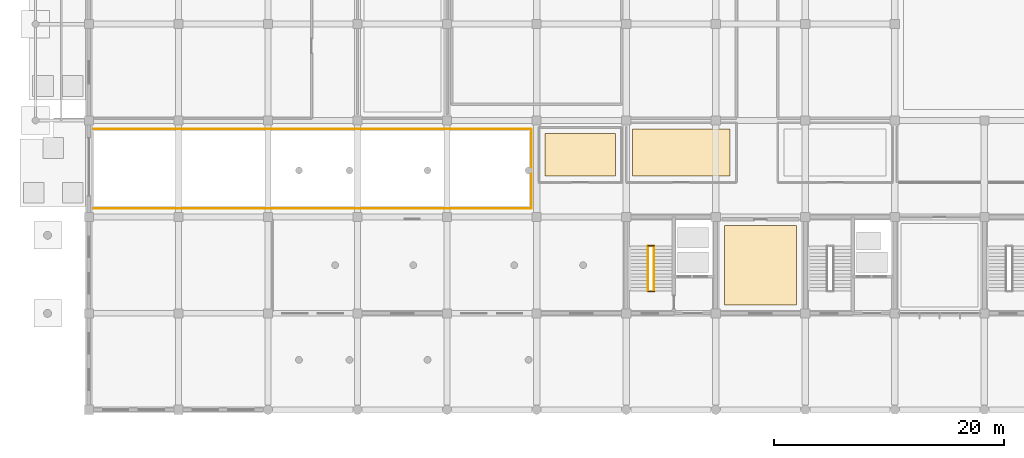
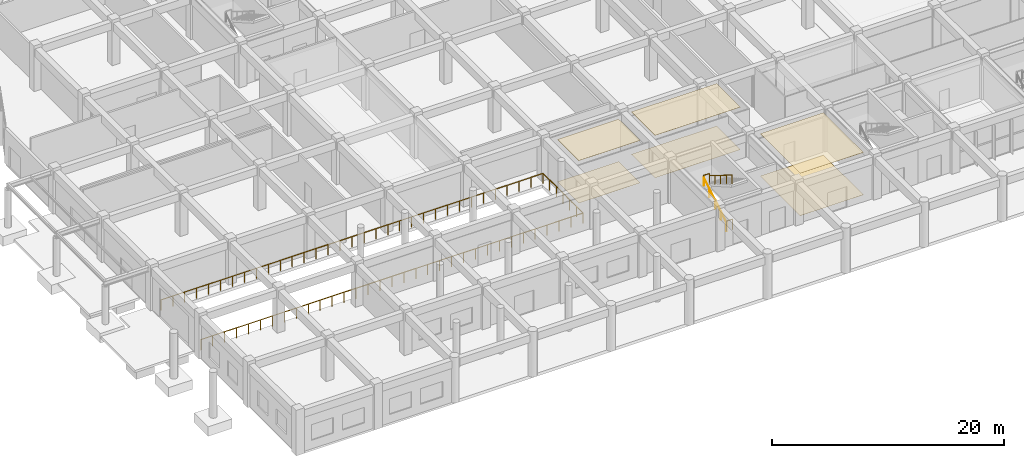
# One storey, part 133 of 139: 7 railings, 6 coverings.
"""IFC4 building model written with IfcOpenShell, lengths in metres."""

import ifcopenshell
import ifcopenshell.guid

model = None  # the IFC model being written
_history = None  # IfcOwnerHistory: only IFC2X3 demands one
_inside = {}  # id of a spatial element -> (the spatial element, [elements in it])
_under = {}  # id of a project, library or spatial element -> (it, [spatial elements below it])
_declared = {}  # id of a project -> (the project, [libraries it declares])
_typed = {}  # id of a type object -> (the type object, [elements of that type])
_made_of = {}  # id of a material, layer set ... -> (it, [elements and type objects made of it])


def new_model(schema):
    """Start an empty IFC model of exactly this schema.

    Asked for "IFC4X3", IfcOpenShell would pick the latest addendum, in which some entities
    have other attributes; the version numbers below select the first issue.
    IFC2X3 requires an IfcOwnerHistory on every rooted entity: one is made here for all.
    """
    global model, _history
    if schema == "IFC4X3":
        model = ifcopenshell.file(schema_version=(4, 3, 0, 0))
    else:
        model = ifcopenshell.file(schema=schema)
    _inside.clear()
    _under.clear()
    _declared.clear()
    _typed.clear()
    _made_of.clear()
    _history = None
    if model.schema == "IFC2X3":
        org = make("IfcOrganization", Name="unknown")
        user = make(
            "IfcPersonAndOrganization",
            ThePerson=make("IfcPerson", FamilyName="unknown"),
            TheOrganization=org,
        )
        app = make(
            "IfcApplication",
            ApplicationDeveloper=org,
            Version="unknown",
            ApplicationFullName="unknown",
            ApplicationIdentifier="unknown",
        )
        _history = make(
            "IfcOwnerHistory",
            OwningUser=user,
            OwningApplication=app,
            ChangeAction="ADDED",
            CreationDate=0,
        )
    return model


def make(cls, **values):
    """One entity of the class cls with the attributes given. An attribute that is None is left unset."""
    return model.create_entity(
        cls, **{name: value for name, value in values.items() if value is not None}
    )


def rooted(cls, **values):
    """An entity with a GlobalId (a new one), such as an element, a storey or a relation."""
    return make(cls, GlobalId=ifcopenshell.guid.new(), OwnerHistory=_history, **values)


def si_unit(unit_type, name, prefix=None):
    """IfcSIUnit, for example si_unit("LENGTHUNIT", "METRE", prefix="MILLI")."""
    return make("IfcSIUnit", UnitType=unit_type, Prefix=prefix, Name=name)


def assignment(units):
    """IfcUnitAssignment: the units of a project."""
    return None if units is None else make("IfcUnitAssignment", Units=units)


def point(xyz):
    """IfcCartesianPoint."""
    return None if xyz is None else make("IfcCartesianPoint", Coordinates=xyz)


def direction(xyz):
    """IfcDirection."""
    return None if xyz is None else make("IfcDirection", DirectionRatios=xyz)


def frame(location, z_axis=None, x_axis=None):
    """IfcAxis2Placement3D, a coordinate frame: its origin and axes. An axis left out is left unset."""
    return make(
        "IfcAxis2Placement3D",
        Location=point(location),
        Axis=direction(z_axis),
        RefDirection=direction(x_axis),
    )


def frame_2d(location, x_axis=None):
    """IfcAxis2Placement2D, a coordinate frame in the plane: its origin and x axis."""
    return make(
        "IfcAxis2Placement2D", Location=point(location), RefDirection=direction(x_axis)
    )


def origin():
    """The frame at (0, 0, 0) with its axes left unset."""
    return frame((0.0, 0.0, 0.0))


def origin_2d():
    """The frame at (0, 0) in the plane with its x axis left unset."""
    return frame_2d((0.0, 0.0))


def place(relative_to, where):
    """IfcLocalPlacement: puts the frame where relative to a parent placement (None: the world)."""
    return make(
        "IfcLocalPlacement", PlacementRelTo=relative_to, RelativePlacement=where
    )


def context(
    kind, dimensions, precision=None, world=None, true_north=None, identifier=None
):
    """IfcGeometricRepresentationContext, for example the 3D "Model" context."""
    return make(
        "IfcGeometricRepresentationContext",
        ContextIdentifier=identifier,
        ContextType=kind,
        CoordinateSpaceDimension=dimensions,
        Precision=precision,
        WorldCoordinateSystem=world,
        TrueNorth=true_north,
    )


def subcontext(parent, identifier, kind, view, scale=None):
    """IfcGeometricRepresentationSubContext, for example "Body" below "Model"."""
    return make(
        "IfcGeometricRepresentationSubContext",
        ContextIdentifier=identifier,
        ContextType=kind,
        ParentContext=parent,
        TargetScale=scale,
        TargetView=view,
    )


def project(units=None, contexts=None):
    """IfcProject with its units and contexts."""
    return rooted(
        "IfcProject",
        Name="project",
        RepresentationContexts=contexts,
        UnitsInContext=assignment(units),
    )


def spatial(cls, under=None, at=None, **own):
    """A site, building, storey or space (cls), placed at a placement, below another one or the project."""
    s = rooted(cls, ObjectPlacement=at, **own)
    if under is not None:
        _under.setdefault(under.id(), (under, []))[1].append(s)
    return s


def polyline(points):
    """IfcPolyline through the points."""
    return make("IfcPolyline", Points=[point(p) for p in points])


def profile(cls, at=None, kind="AREA", **sizes):
    """A parametric profile (cls). Its sizes go by their IFC names, for example OverallWidth=200.0."""
    return make(cls, ProfileType=kind, Position=at, **sizes)


def circle(**sizes):
    """IfcCircleProfileDef."""
    return profile("IfcCircleProfileDef", **sizes)


def hollow_circle(**sizes):
    """IfcCircleHollowProfileDef."""
    return profile("IfcCircleHollowProfileDef", **sizes)


def outline(outer, holes=None, kind="AREA"):
    """IfcArbitraryClosedProfileDef: a profile drawn as a closed curve; with holes, ...WithVoids."""
    if holes is None:
        return make("IfcArbitraryClosedProfileDef", ProfileType=kind, OuterCurve=outer)
    return make(
        "IfcArbitraryProfileDefWithVoids",
        ProfileType=kind,
        OuterCurve=outer,
        InnerCurves=holes,
    )


def extrude(swept, where, along, depth):
    """IfcExtrudedAreaSolid: the profile swept, set in the frame where, extruded along a direction by depth."""
    return make(
        "IfcExtrudedAreaSolid",
        SweptArea=swept,
        Position=where,
        ExtrudedDirection=direction(along),
        Depth=depth,
    )


def shape(context_of_items, identifier, shape_type, items):
    """IfcShapeRepresentation: the items that make up one representation, for example the "Body"."""
    return make(
        "IfcShapeRepresentation",
        ContextOfItems=context_of_items,
        RepresentationIdentifier=identifier,
        RepresentationType=shape_type,
        Items=items,
    )


def material(Name=None, Category=None):
    """IfcMaterial."""
    return make("IfcMaterial", Name=Name, Category=Category)


def layer(
    of_material, thickness, ventilated=None, Name=None, Category=None, Priority=None
):
    """IfcMaterialLayer: one layer of a wall or slab, of a material (None: an air gap)."""
    return make(
        "IfcMaterialLayer",
        Material=of_material,
        LayerThickness=thickness,
        IsVentilated=ventilated,
        Name=Name,
        Category=Category,
        Priority=Priority,
    )


def layer_set(layers, Name=None):
    """IfcMaterialLayerSet."""
    return make("IfcMaterialLayerSet", MaterialLayers=layers, LayerSetName=Name)


def material_profile(
    of_material, cross_section, Name=None, Category=None, Priority=None
):
    """IfcMaterialProfile: a cross section and its material."""
    return make(
        "IfcMaterialProfile",
        Name=Name,
        Material=of_material,
        Profile=cross_section,
        Priority=Priority,
        Category=Category,
    )


def profile_set(profiles, Name=None, composite=None):
    """IfcMaterialProfileSet."""
    return make(
        "IfcMaterialProfileSet",
        Name=Name,
        MaterialProfiles=profiles,
        CompositeProfile=composite,
    )


def made_of(thing, what):
    """Note that an element or type object is made of a material, layer set ...; save() writes the relation."""
    if what is not None:
        _made_of.setdefault(what.id(), (what, []))[1].append(thing)
    return thing


def type_object(cls, material=None, **own):
    """A type object (cls), such as IfcWallType, which elements share."""
    return made_of(rooted(cls, **own), material)


def element(
    cls,
    number,
    at=None,
    inside=None,
    cuts=None,
    type_object=None,
    material=None,
    context=None,
    identifier="Body",
    shape_type=None,
    held_by="IfcProductDefinitionShape",
    body=None,
    shapes=None,
    **own,
):
    """One element of the class cls, such as IfcWall. Its Tag is "e" and its number.

    at: its placement. inside: the storey or other place that contains it. cuts: it is an
    opening in that element (IfcRelVoidsElement). A single representation is given by context,
    identifier, shape_type and body (its items); several are given by shapes. held_by: the class
    of the entity that holds the representations. save() writes the other relations.
    """
    e = rooted(cls, Tag="e%d" % number, ObjectPlacement=at, **own)
    if body is not None:
        shapes = [shape(context, identifier, shape_type, body)]
    if shapes is not None:
        e.Representation = make(held_by, Representations=shapes)
    if inside is not None:
        _inside.setdefault(inside.id(), (inside, []))[1].append(e)
    if cuts is not None:
        rooted(
            "IfcRelVoidsElement", RelatingBuildingElement=cuts, RelatedOpeningElement=e
        )
    if type_object is not None:
        _typed.setdefault(type_object.id(), (type_object, []))[1].append(e)
    return made_of(e, material)


def aggregate(whole, parts):
    """IfcRelAggregates: a whole, such as a stair, and the parts it consists of."""
    return rooted("IfcRelAggregates", RelatingObject=whole, RelatedObjects=parts)


def save(model, path):
    """Write the relations noted so far, then the file.

    IfcRelAggregates (storeys below a building ...), IfcRelContainedInSpatialStructure (elements
    in a storey), IfcRelDefinesByType, IfcRelAssociatesMaterial and IfcRelDeclares: one each for
    every whole, place, type object, material and project.
    """
    for whole, parts in _under.values():
        aggregate(whole, parts)
    for where, things in _inside.values():
        rooted(
            "IfcRelContainedInSpatialStructure",
            RelatedElements=things,
            RelatingStructure=where,
        )
    for kind, things in _typed.values():
        rooted("IfcRelDefinesByType", RelatedObjects=things, RelatingType=kind)
    for what, things in _made_of.values():
        rooted("IfcRelAssociatesMaterial", RelatedObjects=things, RelatingMaterial=what)
    for by, libraries in _declared.values():
        rooted("IfcRelDeclares", RelatingContext=by, RelatedDefinitions=libraries)
    model.write(path)


model = new_model("IFC4")

# Units and contexts
model_context = context("Model", 3, precision=1e-05, world=origin(), true_north=direction((0.0, 1.0)))
body_context = subcontext(model_context, "Body", "Model", "MODEL_VIEW")
ifc_project = project(units=[si_unit("LENGTHUNIT", "METRE"), si_unit("AREAUNIT", "SQUARE_METRE"), si_unit("VOLUMEUNIT", "CUBIC_METRE"), si_unit("PLANEANGLEUNIT", "RADIAN"), si_unit("MASSUNIT", "GRAM", prefix="KILO")], contexts=[model_context])

# Site, building, storey
site_placement = place(None, origin())
site = spatial("IfcSite", under=ifc_project, at=site_placement, CompositionType="ELEMENT")
building_placement = place(site_placement, origin())
building = spatial("IfcBuilding", under=site, at=building_placement, Name="Zizhar Promenade General Hospital", CompositionType="ELEMENT")
storey_placement = place(building_placement, origin())
storey = spatial("IfcBuildingStorey", under=building, at=storey_placement, Name="L00", CompositionType="ELEMENT", Elevation=0.0)

# Coverings
ifc_material_1 = material(Name="Hygienic acoustic mineral ceiling tile")
ifc_layer_1 = layer(ifc_material_1, 0.02001953125)
ifc_layer_set_1 = layer_set([ifc_layer_1], Name="Hygienic acoustic mineral ceiling tile")
covering_type_1 = type_object("IfcCoveringType", Name="COV-CLG-ACOUST-20", PredefinedType="CEILING", material=ifc_layer_set_1)
covering_1_placement = place(storey_placement, frame((0.0, 0.0, 4.4599609375)))
element("IfcCovering", 1, at=covering_1_placement, inside=storey, type_object=covering_type_1, Name="Central Fire Security Post Hygienic Ceiling", PredefinedType="CEILING", context=body_context, shape_type="SweptSolid", body=[
    extrude(outline(polyline([(55.35009765625, 9.14990234375), (61.64990234375, 9.14990234375), (61.64990234375, 16.050048828125), (55.35009765625, 16.050048828125), (55.35009765625, 9.14990234375)])), origin(), (0.0, 0.0, 1.0), 0.02001953125),
])
covering_2_placement = place(storey_placement, frame((0.0, 0.0, 4.4599609375)))
element("IfcCovering", 2, at=covering_2_placement, inside=storey, type_object=covering_type_1, Name="Outpatient Phlebotomy and Specimen Collection Hygienic Ceiling", PredefinedType="CEILING", context=body_context, shape_type="SweptSolid", body=[
    extrude(outline(polyline([(39.75, 20.35009765625), (45.85009765625, 20.35009765625), (45.85009765625, 24.050048828125), (39.75, 24.050048828125), (39.75, 20.35009765625)])), origin(), (0.0, 0.0, 1.0), 0.02001953125),
])
covering_3_placement = place(storey_placement, frame((0.0, 0.0, 4.4599609375)))
element("IfcCovering", 3, at=covering_3_placement, inside=storey, type_object=covering_type_1, Name="Nuclear Medicine Reception Hygienic Ceiling", PredefinedType="CEILING", context=body_context, shape_type="SweptSolid", body=[
    extrude(outline(polyline([(47.35009765625, 20.35009765625), (55.85009765625, 20.35009765625), (55.85009765625, 24.449951171875), (47.35009765625, 24.449951171875), (47.35009765625, 20.35009765625)])), origin(), (0.0, 0.0, 1.0), 0.02001953125),
])
ifc_material_2 = material(Name="Seamless antimicrobial vinyl flooring")
ifc_layer_2 = layer(ifc_material_2, 0.008056640625)
ifc_layer_set_2 = layer_set([ifc_layer_2], Name="Seamless antimicrobial vinyl flooring")
covering_type_2 = type_object("IfcCoveringType", Name="COV-FLR-VINYL-08", PredefinedType="FLOORING", material=ifc_layer_set_2)
covering_4_placement = place(storey_placement, origin())
element("IfcCovering", 4, at=covering_4_placement, inside=storey, type_object=covering_type_2, Name="Central Fire Security Post Clinical Flooring", PredefinedType="FLOORING", context=body_context, shape_type="SweptSolid", body=[
    extrude(outline(polyline([(55.35009765625, 9.14990234375), (61.64990234375, 9.14990234375), (61.64990234375, 16.050048828125), (55.35009765625, 16.050048828125), (55.35009765625, 9.14990234375)])), origin(), (0.0, 0.0, 1.0), 0.008056640625),
])
covering_5_placement = place(storey_placement, origin())
element("IfcCovering", 5, at=covering_5_placement, inside=storey, type_object=covering_type_2, Name="Outpatient Phlebotomy and Specimen Collection Clinical Flooring", PredefinedType="FLOORING", context=body_context, shape_type="SweptSolid", body=[
    extrude(outline(polyline([(39.75, 20.35009765625), (45.85009765625, 20.35009765625), (45.85009765625, 24.050048828125), (39.75, 24.050048828125), (39.75, 20.35009765625)])), origin(), (0.0, 0.0, 1.0), 0.008056640625),
])
covering_6_placement = place(storey_placement, origin())
element("IfcCovering", 6, at=covering_6_placement, inside=storey, type_object=covering_type_2, Name="Nuclear Medicine Reception Clinical Flooring", PredefinedType="FLOORING", context=body_context, shape_type="SweptSolid", body=[
    extrude(outline(polyline([(47.35009765625, 20.35009765625), (55.85009765625, 20.35009765625), (55.85009765625, 24.449951171875), (47.35009765625, 24.449951171875), (47.35009765625, 20.35009765625)])), origin(), (0.0, 0.0, 1.0), 0.008056640625),
])

# Railings
ifc_material_3 = material(Name="Anodised aluminium 6063-T6", Category="aluminium")
ifc_material_profile_1 = material_profile(ifc_material_3, hollow_circle(Radius=0.06982421875, WallThickness=0.00634765625, at=origin_2d()))
ifc_profile_set_1 = profile_set([ifc_material_profile_1], Name="Anodised aluminium 6063-T6")
railing_type_1 = type_object("IfcRailingType", Name="RL-HANDRAIL-920", PredefinedType="HANDRAIL", material=ifc_profile_set_1)
railing_1_placement = place(storey_placement, frame((48.699951171875, 10.35009765625, 0.0)))
element("IfcRailing", 7, at=railing_1_placement, inside=storey, type_object=railing_type_1, Name="Stair ST-02 Flight 1 Handrail (L00)", PredefinedType="HANDRAIL", context=body_context, shape_type="SweptSolid", body=[
    extrude(circle(Radius=0.02392578125, at=origin_2d()), frame((0.0, 0.0, 0.89599609375), z_axis=(0.0, 0.851661977835, 0.524091476281), x_axis=(-1.0, 0.0, 0.0)), (0.0, 0.0, 1.0), 4.5791015625),
    extrude(circle(Radius=0.02099609375, at=origin_2d()), origin(), (0.0, 0.0, 1.0), 0.871826171875),
    extrude(circle(Radius=0.02099609375, at=origin_2d()), frame((0.0, 0.97509765625, 0.60009765625)), (0.0, 0.0, 1.0), 0.871826171875),
    extrude(circle(Radius=0.02099609375, at=origin_2d()), frame((0.0, 1.949951171875, 1.199951171875)), (0.0, 0.0, 1.0), 0.871826171875),
    extrude(circle(Radius=0.02099609375, at=origin_2d()), frame((0.0, 2.9248046875, 1.7998046875)), (0.0, 0.0, 1.0), 0.871826171875),
    extrude(circle(Radius=0.02099609375, at=origin_2d()), frame((0.0, 3.89990234375, 2.39990234375)), (0.0, 0.0, 1.0), 0.871826171875),
])
railing_2_placement = place(storey_placement, frame((49.239990234375, 14.25, 2.39990234375)))
element("IfcRailing", 8, at=railing_2_placement, inside=storey, type_object=railing_type_1, Name="Stair ST-02 Flight 2 Handrail (L00)", PredefinedType="HANDRAIL", context=body_context, shape_type="SweptSolid", body=[
    extrude(circle(Radius=0.02392578125, at=origin_2d()), frame((0.0, 0.0, 0.89599609375), z_axis=(0.0, -0.851638180308, 0.5241301459), x_axis=(1.0, 0.0, 0.0)), (0.0, 0.0, 1.0), 4.579345703125),
    extrude(circle(Radius=0.02099609375, at=origin_2d()), origin(), (0.0, 0.0, 1.0), 0.871826171875),
    extrude(circle(Radius=0.02099609375, at=origin_2d()), frame((0.0, -0.97509765625, 0.60009765625)), (0.0, 0.0, 1.0), 0.871826171875),
    extrude(circle(Radius=0.02099609375, at=origin_2d()), frame((0.0, -1.949951171875, 1.2001953125)), (0.0, 0.0, 1.0), 0.871826171875),
    extrude(circle(Radius=0.02099609375, at=origin_2d()), frame((0.0, -2.9248046875, 1.800048828125)), (0.0, 0.0, 1.0), 0.871826171875),
    extrude(circle(Radius=0.02099609375, at=origin_2d()), frame((0.0, -3.89990234375, 2.400146484375)), (0.0, 0.0, 1.0), 0.871826171875),
])
ifc_material_4 = material(Name="Steel S355", Category="steel")
ifc_material_profile_2 = material_profile(ifc_material_4, hollow_circle(Radius=0.06982421875, WallThickness=0.00634765625, at=origin_2d()))
ifc_profile_set_2 = profile_set([ifc_material_profile_2], Name="Steel S355")
railing_type_2 = type_object("IfcRailingType", Name="RL-STAIR-GUARD-1100", PredefinedType="GUARDRAIL", material=ifc_profile_set_2)
for number, where, name in (
    (9, (48.679931640625, 14.2900390625, 2.39990234375), "Stair ST-02 Half-Landing Guard (L00)"),
    (10, (48.679931640625, 10.31005859375, 0.0), "Stair ST-02 Landing Well Guard (L00)"),
):
    element("IfcRailing", number, at=place(storey_placement, frame(where)), inside=storey, type_object=railing_type_2, Name=name, PredefinedType="GUARDRAIL", context=body_context, shape_type="SweptSolid", body=[
        extrude(circle(Radius=0.02392578125, at=origin_2d()), frame((0.0, 0.0, 1.076171875), z_axis=(1.0, 0.0, 0.0), x_axis=(0.0, 1.0, 0.0)), (0.0, 0.0, 1.0), 0.580078125),
        extrude(circle(Radius=0.02099609375, at=origin_2d()), origin(), (0.0, 0.0, 1.0), 1.052001953125),
        extrude(circle(Radius=0.02099609375, at=origin_2d()), frame((0.580078125, 0.0, 0.0)), (0.0, 0.0, 1.0), 1.052001953125),
    ])
railing_3_placement = place(storey_placement, frame((0.449951171875, 17.550048828125, 0.0)))
element("IfcRailing", 11, at=railing_3_placement, inside=storey, type_object=railing_type_2, Name="Basement Ramp Opening Guardrail 1", PredefinedType="GUARDRAIL", context=body_context, shape_type="SweptSolid", body=[
    extrude(circle(Radius=0.02392578125, at=origin_2d()), frame((0.0, 0.0, 1.076171875), z_axis=(1.0, 0.0, 0.0), x_axis=(0.0, 1.0, 0.0)), (0.0, 0.0, 1.0), 38.10009765625),
    extrude(circle(Radius=0.02099609375, at=origin_2d()), origin(), (0.0, 0.0, 1.0), 1.052001953125),
    extrude(circle(Radius=0.02099609375, at=origin_2d()), frame((1.190673828125, 0.0, 0.0)), (0.0, 0.0, 1.0), 1.052001953125),
    extrude(circle(Radius=0.02099609375, at=origin_2d()), frame((2.38134765625, 0.0, 0.0)), (0.0, 0.0, 1.0), 1.052001953125),
    extrude(circle(Radius=0.02099609375, at=origin_2d()), frame((3.57177734375, 0.0, 0.0)), (0.0, 0.0, 1.0), 1.052001953125),
    extrude(circle(Radius=0.02099609375, at=origin_2d()), frame((4.762451171875, 0.0, 0.0)), (0.0, 0.0, 1.0), 1.052001953125),
    extrude(circle(Radius=0.02099609375, at=origin_2d()), frame((5.953125, 0.0, 0.0)), (0.0, 0.0, 1.0), 1.052001953125),
    extrude(circle(Radius=0.02099609375, at=origin_2d()), frame((7.143798828125, 0.0, 0.0)), (0.0, 0.0, 1.0), 1.052001953125),
    extrude(circle(Radius=0.02099609375, at=origin_2d()), frame((8.33447265625, 0.0, 0.0)), (0.0, 0.0, 1.0), 1.052001953125),
    extrude(circle(Radius=0.02099609375, at=origin_2d()), frame((9.52490234375, 0.0, 0.0)), (0.0, 0.0, 1.0), 1.052001953125),
    extrude(circle(Radius=0.02099609375, at=origin_2d()), frame((10.715576171875, 0.0, 0.0)), (0.0, 0.0, 1.0), 1.052001953125),
    extrude(circle(Radius=0.02099609375, at=origin_2d()), frame((11.90625, 0.0, 0.0)), (0.0, 0.0, 1.0), 1.052001953125),
    extrude(circle(Radius=0.02099609375, at=origin_2d()), frame((13.096923828125, 0.0, 0.0)), (0.0, 0.0, 1.0), 1.052001953125),
    extrude(circle(Radius=0.02099609375, at=origin_2d()), frame((14.28759765625, 0.0, 0.0)), (0.0, 0.0, 1.0), 1.052001953125),
    extrude(circle(Radius=0.02099609375, at=origin_2d()), frame((15.478271484375, 0.0, 0.0)), (0.0, 0.0, 1.0), 1.052001953125),
    extrude(circle(Radius=0.02099609375, at=origin_2d()), frame((16.668701171875, 0.0, 0.0)), (0.0, 0.0, 1.0), 1.052001953125),
    extrude(circle(Radius=0.02099609375, at=origin_2d()), frame((17.859375, 0.0, 0.0)), (0.0, 0.0, 1.0), 1.052001953125),
    extrude(circle(Radius=0.02099609375, at=origin_2d()), frame((19.050048828125, 0.0, 0.0)), (0.0, 0.0, 1.0), 1.052001953125),
    extrude(circle(Radius=0.02099609375, at=origin_2d()), frame((20.24072265625, 0.0, 0.0)), (0.0, 0.0, 1.0), 1.052001953125),
    extrude(circle(Radius=0.02099609375, at=origin_2d()), frame((21.431396484375, 0.0, 0.0)), (0.0, 0.0, 1.0), 1.052001953125),
    extrude(circle(Radius=0.02099609375, at=origin_2d()), frame((22.621826171875, 0.0, 0.0)), (0.0, 0.0, 1.0), 1.052001953125),
    extrude(circle(Radius=0.02099609375, at=origin_2d()), frame((23.8125, 0.0, 0.0)), (0.0, 0.0, 1.0), 1.052001953125),
    extrude(circle(Radius=0.02099609375, at=origin_2d()), frame((25.003173828125, 0.0, 0.0)), (0.0, 0.0, 1.0), 1.052001953125),
    extrude(circle(Radius=0.02099609375, at=origin_2d()), frame((26.19384765625, 0.0, 0.0)), (0.0, 0.0, 1.0), 1.052001953125),
    extrude(circle(Radius=0.02099609375, at=origin_2d()), frame((27.384521484375, 0.0, 0.0)), (0.0, 0.0, 1.0), 1.052001953125),
    extrude(circle(Radius=0.02099609375, at=origin_2d()), frame((28.5751953125, 0.0, 0.0)), (0.0, 0.0, 1.0), 1.052001953125),
    extrude(circle(Radius=0.02099609375, at=origin_2d()), frame((29.765625, 0.0, 0.0)), (0.0, 0.0, 1.0), 1.052001953125),
    extrude(circle(Radius=0.02099609375, at=origin_2d()), frame((30.956298828125, 0.0, 0.0)), (0.0, 0.0, 1.0), 1.052001953125),
    extrude(circle(Radius=0.02099609375, at=origin_2d()), frame((32.14697265625, 0.0, 0.0)), (0.0, 0.0, 1.0), 1.052001953125),
    extrude(circle(Radius=0.02099609375, at=origin_2d()), frame((33.337646484375, 0.0, 0.0)), (0.0, 0.0, 1.0), 1.052001953125),
    extrude(circle(Radius=0.02099609375, at=origin_2d()), frame((34.5283203125, 0.0, 0.0)), (0.0, 0.0, 1.0), 1.052001953125),
    extrude(circle(Radius=0.02099609375, at=origin_2d()), frame((35.71875, 0.0, 0.0)), (0.0, 0.0, 1.0), 1.052001953125),
    extrude(circle(Radius=0.02099609375, at=origin_2d()), frame((36.909423828125, 0.0, 0.0)), (0.0, 0.0, 1.0), 1.052001953125),
    extrude(circle(Radius=0.02099609375, at=origin_2d()), frame((38.10009765625, 0.0, 0.0)), (0.0, 0.0, 1.0), 1.052001953125),
])
railing_4_placement = place(storey_placement, frame((38.550048828125, 17.550048828125, 0.0)))
element("IfcRailing", 12, at=railing_4_placement, inside=storey, type_object=railing_type_2, Name="Basement Ramp Opening Guardrail 2", PredefinedType="GUARDRAIL", context=body_context, shape_type="SweptSolid", body=[
    extrude(circle(Radius=0.02392578125, at=origin_2d()), frame((0.0, 0.0, 1.076171875), z_axis=(0.0, 1.0, 0.0), x_axis=(-1.0, 0.0, 0.0)), (0.0, 0.0, 1.0), 6.89990234375),
    extrude(circle(Radius=0.02099609375, at=origin_2d()), origin(), (0.0, 0.0, 1.0), 1.052001953125),
    extrude(circle(Radius=0.02099609375, at=origin_2d()), frame((0.0, 1.14990234375, 0.0)), (0.0, 0.0, 1.0), 1.052001953125),
    extrude(circle(Radius=0.02099609375, at=origin_2d()), frame((0.0, 2.300048828125, 0.0)), (0.0, 0.0, 1.0), 1.052001953125),
    extrude(circle(Radius=0.02099609375, at=origin_2d()), frame((0.0, 3.449951171875, 0.0)), (0.0, 0.0, 1.0), 1.052001953125),
    extrude(circle(Radius=0.02099609375, at=origin_2d()), frame((0.0, 4.599853515625, 0.0)), (0.0, 0.0, 1.0), 1.052001953125),
    extrude(circle(Radius=0.02099609375, at=origin_2d()), frame((0.0, 5.75, 0.0)), (0.0, 0.0, 1.0), 1.052001953125),
    extrude(circle(Radius=0.02099609375, at=origin_2d()), frame((0.0, 6.89990234375, 0.0)), (0.0, 0.0, 1.0), 1.052001953125),
])
railing_5_placement = place(storey_placement, frame((38.550048828125, 24.449951171875, 0.0)))
element("IfcRailing", 13, at=railing_5_placement, inside=storey, type_object=railing_type_2, Name="Basement Ramp Opening Guardrail 3", PredefinedType="GUARDRAIL", context=body_context, shape_type="SweptSolid", body=[
    extrude(circle(Radius=0.02392578125, at=origin_2d()), frame((0.0, 0.0, 1.076171875), z_axis=(-1.0, 0.0, 0.0), x_axis=(0.0, -1.0, 0.0)), (0.0, 0.0, 1.0), 38.10009765625),
    extrude(circle(Radius=0.02099609375, at=origin_2d()), origin(), (0.0, 0.0, 1.0), 1.052001953125),
    extrude(circle(Radius=0.02099609375, at=origin_2d()), frame((-1.190673828125, 0.0, 0.0)), (0.0, 0.0, 1.0), 1.052001953125),
    extrude(circle(Radius=0.02099609375, at=origin_2d()), frame((-2.38134765625, 0.0, 0.0)), (0.0, 0.0, 1.0), 1.052001953125),
    extrude(circle(Radius=0.02099609375, at=origin_2d()), frame((-3.57177734375, 0.0, 0.0)), (0.0, 0.0, 1.0), 1.052001953125),
    extrude(circle(Radius=0.02099609375, at=origin_2d()), frame((-4.762451171875, 0.0, 0.0)), (0.0, 0.0, 1.0), 1.052001953125),
    extrude(circle(Radius=0.02099609375, at=origin_2d()), frame((-5.953125, 0.0, 0.0)), (0.0, 0.0, 1.0), 1.052001953125),
    extrude(circle(Radius=0.02099609375, at=origin_2d()), frame((-7.143798828125, 0.0, 0.0)), (0.0, 0.0, 1.0), 1.052001953125),
    extrude(circle(Radius=0.02099609375, at=origin_2d()), frame((-8.33447265625, 0.0, 0.0)), (0.0, 0.0, 1.0), 1.052001953125),
    extrude(circle(Radius=0.02099609375, at=origin_2d()), frame((-9.52490234375, 0.0, 0.0)), (0.0, 0.0, 1.0), 1.052001953125),
    extrude(circle(Radius=0.02099609375, at=origin_2d()), frame((-10.715576171875, 0.0, 0.0)), (0.0, 0.0, 1.0), 1.052001953125),
    extrude(circle(Radius=0.02099609375, at=origin_2d()), frame((-11.90625, 0.0, 0.0)), (0.0, 0.0, 1.0), 1.052001953125),
    extrude(circle(Radius=0.02099609375, at=origin_2d()), frame((-13.096923828125, 0.0, 0.0)), (0.0, 0.0, 1.0), 1.052001953125),
    extrude(circle(Radius=0.02099609375, at=origin_2d()), frame((-14.28759765625, 0.0, 0.0)), (0.0, 0.0, 1.0), 1.052001953125),
    extrude(circle(Radius=0.02099609375, at=origin_2d()), frame((-15.478271484375, 0.0, 0.0)), (0.0, 0.0, 1.0), 1.052001953125),
    extrude(circle(Radius=0.02099609375, at=origin_2d()), frame((-16.668701171875, 0.0, 0.0)), (0.0, 0.0, 1.0), 1.052001953125),
    extrude(circle(Radius=0.02099609375, at=origin_2d()), frame((-17.859375, 0.0, 0.0)), (0.0, 0.0, 1.0), 1.052001953125),
    extrude(circle(Radius=0.02099609375, at=origin_2d()), frame((-19.050048828125, 0.0, 0.0)), (0.0, 0.0, 1.0), 1.052001953125),
    extrude(circle(Radius=0.02099609375, at=origin_2d()), frame((-20.24072265625, 0.0, 0.0)), (0.0, 0.0, 1.0), 1.052001953125),
    extrude(circle(Radius=0.02099609375, at=origin_2d()), frame((-21.431396484375, 0.0, 0.0)), (0.0, 0.0, 1.0), 1.052001953125),
    extrude(circle(Radius=0.02099609375, at=origin_2d()), frame((-22.621826171875, 0.0, 0.0)), (0.0, 0.0, 1.0), 1.052001953125),
    extrude(circle(Radius=0.02099609375, at=origin_2d()), frame((-23.8125, 0.0, 0.0)), (0.0, 0.0, 1.0), 1.052001953125),
    extrude(circle(Radius=0.02099609375, at=origin_2d()), frame((-25.003173828125, 0.0, 0.0)), (0.0, 0.0, 1.0), 1.052001953125),
    extrude(circle(Radius=0.02099609375, at=origin_2d()), frame((-26.19384765625, 0.0, 0.0)), (0.0, 0.0, 1.0), 1.052001953125),
    extrude(circle(Radius=0.02099609375, at=origin_2d()), frame((-27.384521484375, 0.0, 0.0)), (0.0, 0.0, 1.0), 1.052001953125),
    extrude(circle(Radius=0.02099609375, at=origin_2d()), frame((-28.5751953125, 0.0, 0.0)), (0.0, 0.0, 1.0), 1.052001953125),
    extrude(circle(Radius=0.02099609375, at=origin_2d()), frame((-29.765625, 0.0, 0.0)), (0.0, 0.0, 1.0), 1.052001953125),
    extrude(circle(Radius=0.02099609375, at=origin_2d()), frame((-30.956298828125, 0.0, 0.0)), (0.0, 0.0, 1.0), 1.052001953125),
    extrude(circle(Radius=0.02099609375, at=origin_2d()), frame((-32.14697265625, 0.0, 0.0)), (0.0, 0.0, 1.0), 1.052001953125),
    extrude(circle(Radius=0.02099609375, at=origin_2d()), frame((-33.337646484375, 0.0, 0.0)), (0.0, 0.0, 1.0), 1.052001953125),
    extrude(circle(Radius=0.02099609375, at=origin_2d()), frame((-34.5283203125, 0.0, 0.0)), (0.0, 0.0, 1.0), 1.052001953125),
    extrude(circle(Radius=0.02099609375, at=origin_2d()), frame((-35.71875, 0.0, 0.0)), (0.0, 0.0, 1.0), 1.052001953125),
    extrude(circle(Radius=0.02099609375, at=origin_2d()), frame((-36.909423828125, 0.0, 0.0)), (0.0, 0.0, 1.0), 1.052001953125),
    extrude(circle(Radius=0.02099609375, at=origin_2d()), frame((-38.10009765625, 0.0, 0.0)), (0.0, 0.0, 1.0), 1.052001953125),
])

save(model, "model.ifc")
